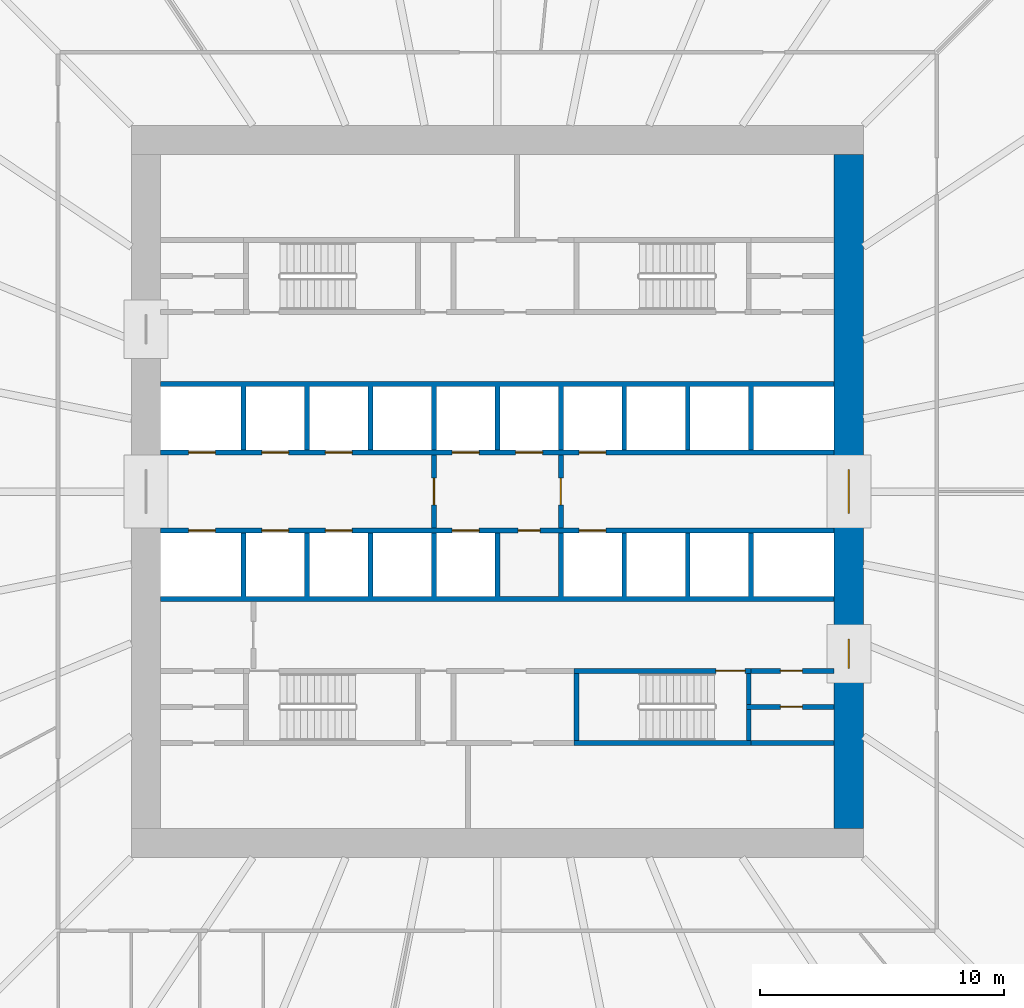
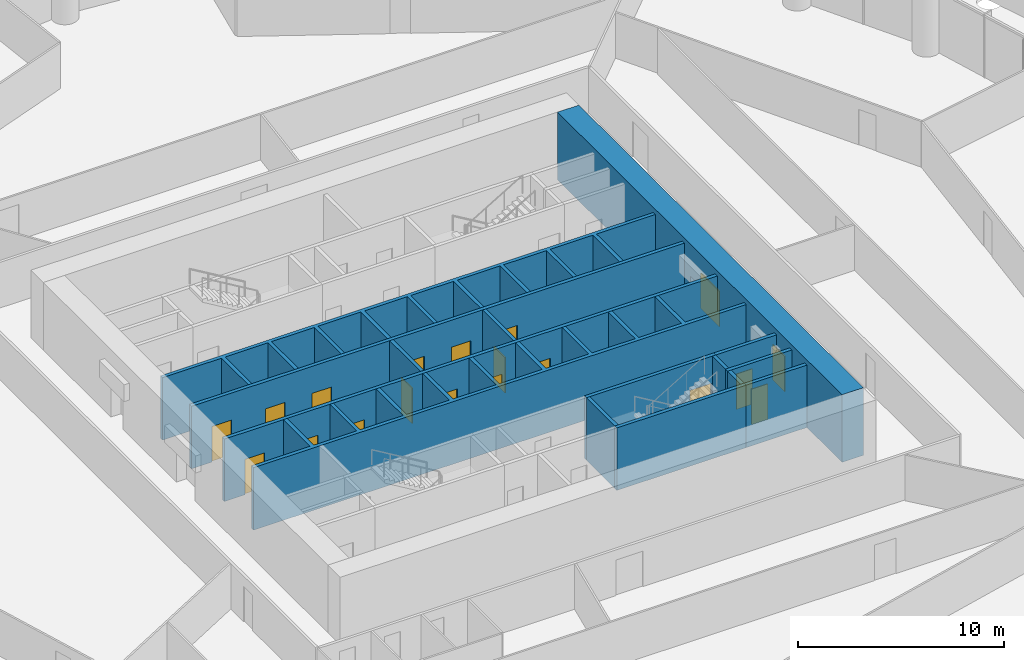
# One storey, part 11 of 17: 19 doors, 15 walls, 19 openings.
"""IFC4 building model written with IfcOpenShell, lengths in metres."""

from ifc_helpers import new_model, si_unit, direction, frame, frame_2d, origin, place, context, subcontext, project, spatial, polyline, rectangle, outline, extrude, material, layer, layer_set, type_object, element, fill, save


model = new_model("IFC4")

# Units and contexts
model_context = context("Model", 3, precision=1e-05, world=origin(), true_north=direction((0.0, 1.0)))
body_context = subcontext(model_context, "Body", "Model", "MODEL_VIEW")
ifc_project = project(units=[si_unit("LENGTHUNIT", "METRE"), si_unit("AREAUNIT", "SQUARE_METRE"), si_unit("VOLUMEUNIT", "CUBIC_METRE"), si_unit("PLANEANGLEUNIT", "RADIAN"), si_unit("MASSUNIT", "GRAM", prefix="KILO")], contexts=[model_context])

# Site, building, storey
site_placement = place(None, origin())
site = spatial("IfcSite", under=ifc_project, at=site_placement, CompositionType="ELEMENT")
building_placement = place(site_placement, origin())
building = spatial("IfcBuilding", under=site, at=building_placement, Name="Corvane Civic Tower", CompositionType="ELEMENT")
storey_placement = place(building_placement, frame((0.0, 0.0, 37.0)))
storey = spatial("IfcBuildingStorey", under=building, at=storey_placement, Name="L07", CompositionType="ELEMENT", Elevation=37.0)

# Wall, openings, doors
ifc_material_1 = material(Name="Concrete C80/95", Category="concrete")
ifc_layer_1 = layer(ifc_material_1, 1.199951171875)
ifc_layer_set_1 = layer_set([ifc_layer_1], Name="Concrete C80/95")
wall_type_1 = type_object("IfcWallType", Name="CORE WALL 1200 C80/95", PredefinedType="SHEAR", material=ifc_layer_set_1)
wall_1_placement = place(storey_placement, frame((14.39990234375, -13.800048828125, 0.0), z_axis=(0.0, 0.0, 1.0), x_axis=(0.0, 1.0, 0.0)))
wall_1 = element("IfcWall", 1, at=wall_1_placement, inside=storey, type_object=wall_type_1, Name="W-L07-core-E", PredefinedType="SHEAR", context=body_context, shape_type="SweptSolid", body=[
    extrude(rectangle(XDim=27.60009765625, YDim=1.199951171875, at=frame_2d((13.800048828125, 0.0))), origin(), (0.0, 0.0, 1.0), 4.0),
])
opening_1_placement = place(wall_1_placement, frame((12.89990234375, 0.0, 0.0)))
opening_1 = element("IfcOpeningElement", 2, at=opening_1_placement, cuts=wall_1, Name="Opening L07.C27", PredefinedType="OPENING", context=body_context, shape_type="SweptSolid", body=[
    extrude(rectangle(XDim=1.800048828125, YDim=2.10009765625, at=frame_2d((0.89990234375, 1.050048828125))), frame((0.0, 0.60986328125, 0.0), z_axis=(0.0, -1.0, 0.0), x_axis=(1.0, 0.0, 0.0)), (0.0, 0.0, 1.0), 1.219970703125),
])
opening_2_placement = place(wall_1_placement, frame((6.550048828125, 0.0, 0.0)))
opening_2 = element("IfcOpeningElement", 3, at=opening_2_placement, cuts=wall_1, Name="Opening L07.C29", PredefinedType="OPENING", context=body_context, shape_type="SweptSolid", body=[
    extrude(rectangle(XDim=1.199951171875, YDim=2.10009765625, at=frame_2d((0.60009765625, 1.050048828125))), frame((0.0, 0.60986328125, 0.0), z_axis=(0.0, -1.0, 0.0), x_axis=(1.0, 0.0, 0.0)), (0.0, 0.0, 1.0), 1.219970703125),
])
ifc_material_2 = material(Name="Steel fire door leaf", Category="steel")
door_type_1 = type_object("IfcDoorType", Name="CR-DOOR-CORE-1800", OperationType="DOUBLE_DOOR_SINGLE_SWING", PredefinedType="DOOR", material=ifc_material_2)
door_1_placement = place(opening_1_placement, origin())
door_1 = element("IfcDoor", 4, at=door_1_placement, inside=storey, type_object=door_type_1, Name="L07 door", OperationType="DOUBLE_DOOR_SINGLE_SWING", OverallHeight=2.10009765625, OverallWidth=1.800048828125, PredefinedType="DOOR", context=body_context, shape_type="SweptSolid", body=[
    extrude(rectangle(XDim=1.800048828125, YDim=2.10009765625, at=frame_2d((0.89990234375, 1.050048828125))), frame((0.0, 0.02490234375, 0.0), z_axis=(0.0, -1.0, 0.0), x_axis=(1.0, 0.0, 0.0)), (0.0, 0.0, 1.0), 0.050048828125),
])
fill(opening_1, door_1)
door_2_placement = place(opening_2_placement, origin())
door_2 = element("IfcDoor", 5, at=door_2_placement, inside=storey, type_object=door_type_1, Name="L07 door", OperationType="DOUBLE_DOOR_SINGLE_SWING", OverallHeight=2.10009765625, OverallWidth=1.199951171875, PredefinedType="DOOR", context=body_context, shape_type="SweptSolid", body=[
    extrude(rectangle(XDim=1.199951171875, YDim=2.10009765625, at=frame_2d((0.60009765625, 1.050048828125))), frame((0.0, 0.02490234375, 0.0), z_axis=(0.0, -1.0, 0.0), x_axis=(1.0, 0.0, 0.0)), (0.0, 0.0, 1.0), 0.050048828125),
])
fill(opening_2, door_2)

# Wall, opening, door
ifc_material_3 = material(Name="Concrete C30/37", Category="concrete")
ifc_layer_2 = layer(ifc_material_3, 0.199951171875)
ifc_layer_set_2 = layer_set([ifc_layer_2], Name="Concrete C30/37")
wall_type_2 = type_object("IfcWallType", Name="CR-WALL-200", PredefinedType="PARTITIONING", material=ifc_layer_set_2)
wall_2_placement = place(storey_placement, frame((10.199951171875, -8.824951171875, 0.0), z_axis=(0.0, 0.0, 1.0), x_axis=(1.0, 0.0, 0.0)))
wall_2 = element("IfcWall", 6, at=wall_2_placement, inside=storey, type_object=wall_type_2, Name="L07 partition wall", PredefinedType="PARTITIONING", context=body_context, shape_type="SweptSolid", body=[
    extrude(rectangle(XDim=3.60009765625, YDim=0.199951171875, at=frame_2d((1.800048828125, 0.0))), origin(), (0.0, 0.0, 1.0), 3.699951171875),
])
opening_3_placement = place(wall_2_placement, frame((1.39990234375, 0.0, 0.0)))
opening_3 = element("IfcOpeningElement", 7, at=opening_3_placement, cuts=wall_2, Name="Opening L07.C18", PredefinedType="OPENING", context=body_context, shape_type="SweptSolid", body=[
    extrude(rectangle(XDim=0.89990234375, YDim=2.10009765625, at=frame_2d((0.449951171875, 1.050048828125))), frame((0.0, 0.10986328125, 0.0), z_axis=(0.0, -1.0, 0.0), x_axis=(1.0, 0.0, 0.0)), (0.0, 0.0, 1.0), 0.219970703125),
])
ifc_material_4 = material(Name="Steel fire door leaf", Category="steel")
door_type_2 = type_object("IfcDoorType", Name="CR-DOOR-900", OperationType="SINGLE_SWING_LEFT", PredefinedType="DOOR", material=ifc_material_4)
door_3_placement = place(opening_3_placement, origin())
door_3 = element("IfcDoor", 8, at=door_3_placement, inside=storey, type_object=door_type_2, Name="L07 door", OperationType="SINGLE_SWING_LEFT", OverallHeight=2.10009765625, OverallWidth=0.89990234375, PredefinedType="DOOR", context=body_context, shape_type="SweptSolid", body=[
    extrude(rectangle(XDim=0.89990234375, YDim=2.10009765625, at=frame_2d((0.449951171875, 1.050048828125))), frame((0.0, 0.02490234375, 0.0), z_axis=(0.0, -1.0, 0.0), x_axis=(1.0, 0.0, 0.0)), (0.0, 0.0, 1.0), 0.050048828125),
])
fill(opening_3, door_3)

wall_3_placement = place(storey_placement, frame((10.39990234375, -7.35009765625, 0.0), z_axis=(0.0, 0.0, 1.0), x_axis=(1.0, 0.0, 0.0)))
wall_3 = element("IfcWall", 9, at=wall_3_placement, inside=storey, type_object=wall_type_2, Name="L07 core partition wall", PredefinedType="PARTITIONING", context=body_context, shape_type="SweptSolid", body=[
    extrude(rectangle(XDim=3.400146484375, YDim=0.199951171875, at=frame_2d((1.7001953125, 0.0))), origin(), (0.0, 0.0, 1.0), 3.699951171875),
])
opening_4_placement = place(wall_3_placement, frame((1.199951171875, 0.0, 0.0)))
opening_4 = element("IfcOpeningElement", 10, at=opening_4_placement, cuts=wall_3, Name="Opening L07.C17", PredefinedType="OPENING", context=body_context, shape_type="SweptSolid", body=[
    extrude(rectangle(XDim=0.89990234375, YDim=2.10009765625, at=frame_2d((0.449951171875, 1.050048828125))), frame((0.0, 0.10986328125, 0.0), z_axis=(0.0, -1.0, 0.0), x_axis=(1.0, 0.0, 0.0)), (0.0, 0.0, 1.0), 0.219970703125),
])
door_4_placement = place(opening_4_placement, origin())
door_4 = element("IfcDoor", 11, at=door_4_placement, inside=storey, type_object=door_type_2, Name="L07 door", OperationType="SINGLE_SWING_LEFT", OverallHeight=2.10009765625, OverallWidth=0.89990234375, PredefinedType="DOOR", context=body_context, shape_type="SweptSolid", body=[
    extrude(rectangle(XDim=0.89990234375, YDim=2.10009765625, at=frame_2d((0.449951171875, 1.050048828125))), frame((0.0, 0.02490234375, 0.0), z_axis=(0.0, -1.0, 0.0), x_axis=(1.0, 0.0, 0.0)), (0.0, 0.0, 1.0), 0.050048828125),
])
fill(opening_4, door_4)

# Wall, openings, doors
wall_4_placement = place(storey_placement, frame((-13.800048828125, -1.60009765625, 0.0), z_axis=(0.0, 0.0, 1.0), x_axis=(1.0, 0.0, 0.0)))
wall_4 = element("IfcWall", 12, at=wall_4_placement, inside=storey, type_object=wall_type_2, Name="L07 lift shaft wall", PredefinedType="PARTITIONING", context=body_context, shape_type="SweptSolid", body=[
    extrude(rectangle(XDim=27.60009765625, YDim=0.199951171875, at=frame_2d((13.800048828125, 0.0))), origin(), (0.0, 0.0, 1.0), 3.699951171875),
])
opening_5_placement = place(wall_4_placement, frame((1.14990234375, 0.0, 0.0)))
opening_5 = element("IfcOpeningElement", 13, at=opening_5_placement, cuts=wall_4, Name="Opening LD", PredefinedType="OPENING", context=body_context, shape_type="SweptSolid", body=[
    extrude(rectangle(XDim=1.10009765625, YDim=2.10009765625, at=frame_2d((0.550048828125, 1.050048828125))), frame((0.0, 0.10986328125, 0.0), z_axis=(0.0, -1.0, 0.0), x_axis=(1.0, 0.0, 0.0)), (0.0, 0.0, 1.0), 0.219970703125),
])
opening_6_placement = place(wall_4_placement, frame((4.14990234375, 0.0, 0.0)))
opening_6 = element("IfcOpeningElement", 14, at=opening_6_placement, cuts=wall_4, Name="Opening LD", PredefinedType="OPENING", context=body_context, shape_type="SweptSolid", body=[
    extrude(rectangle(XDim=1.10009765625, YDim=2.10009765625, at=frame_2d((0.550048828125, 1.050048828125))), frame((0.0, 0.10986328125, 0.0), z_axis=(0.0, -1.0, 0.0), x_axis=(1.0, 0.0, 0.0)), (0.0, 0.0, 1.0), 0.219970703125),
])
opening_7_placement = place(wall_4_placement, frame((6.75, 0.0, 0.0)))
opening_7 = element("IfcOpeningElement", 15, at=opening_7_placement, cuts=wall_4, Name="Opening LD", PredefinedType="OPENING", context=body_context, shape_type="SweptSolid", body=[
    extrude(rectangle(XDim=1.10009765625, YDim=2.10009765625, at=frame_2d((0.550048828125, 1.050048828125))), frame((0.0, 0.10986328125, 0.0), z_axis=(0.0, -1.0, 0.0), x_axis=(1.0, 0.0, 0.0)), (0.0, 0.0, 1.0), 0.219970703125),
])
opening_8_placement = place(wall_4_placement, frame((11.949951171875, 0.0, 0.0)))
opening_8 = element("IfcOpeningElement", 16, at=opening_8_placement, cuts=wall_4, Name="Opening LD", PredefinedType="OPENING", context=body_context, shape_type="SweptSolid", body=[
    extrude(rectangle(XDim=1.10009765625, YDim=2.10009765625, at=frame_2d((0.550048828125, 1.050048828125))), frame((0.0, 0.10986328125, 0.0), z_axis=(0.0, -1.0, 0.0), x_axis=(1.0, 0.0, 0.0)), (0.0, 0.0, 1.0), 0.219970703125),
])
opening_9_placement = place(wall_4_placement, frame((14.64990234375, 0.0, 0.0)))
opening_9 = element("IfcOpeningElement", 17, at=opening_9_placement, cuts=wall_4, Name="Opening L07.C01", PredefinedType="OPENING", context=body_context, shape_type="SweptSolid", body=[
    extrude(rectangle(XDim=0.89990234375, YDim=2.10009765625, at=frame_2d((0.449951171875, 1.050048828125))), frame((0.0, 0.10986328125, 0.0), z_axis=(0.0, -1.0, 0.0), x_axis=(1.0, 0.0, 0.0)), (0.0, 0.0, 1.0), 0.219970703125),
])
opening_10_placement = place(wall_4_placement, frame((17.14990234375, 0.0, 0.0)))
opening_10 = element("IfcOpeningElement", 18, at=opening_10_placement, cuts=wall_4, Name="Opening LD", PredefinedType="OPENING", context=body_context, shape_type="SweptSolid", body=[
    extrude(rectangle(XDim=1.10009765625, YDim=2.10009765625, at=frame_2d((0.550048828125, 1.050048828125))), frame((0.0, 0.10986328125, 0.0), z_axis=(0.0, -1.0, 0.0), x_axis=(1.0, 0.0, 0.0)), (0.0, 0.0, 1.0), 0.219970703125),
])
door_5_placement = place(opening_9_placement, origin())
door_5 = element("IfcDoor", 19, at=door_5_placement, inside=storey, type_object=door_type_2, Name="L07 door", OperationType="SINGLE_SWING_LEFT", OverallHeight=2.10009765625, OverallWidth=0.89990234375, PredefinedType="DOOR", context=body_context, shape_type="SweptSolid", body=[
    extrude(rectangle(XDim=0.89990234375, YDim=2.10009765625, at=frame_2d((0.449951171875, 1.050048828125))), frame((0.0, 0.02490234375, 0.0), z_axis=(0.0, -1.0, 0.0), x_axis=(1.0, 0.0, 0.0)), (0.0, 0.0, 1.0), 0.050048828125),
])
fill(opening_9, door_5)
ifc_material_5 = material(Name="Stainless steel 316 door leaves", Category="steel")
door_type_3 = type_object("IfcDoorType", Name="LD", OperationType="DOUBLE_DOOR_SLIDING", PredefinedType="DOOR", material=ifc_material_5)
door_6_placement = place(opening_5_placement, origin())
door_6 = element("IfcDoor", 20, at=door_6_placement, inside=storey, type_object=door_type_3, Name="L07 landing door", OperationType="DOUBLE_DOOR_SLIDING", OverallHeight=2.10009765625, OverallWidth=1.10009765625, PredefinedType="DOOR", context=body_context, shape_type="SweptSolid", body=[
    extrude(rectangle(XDim=1.10009765625, YDim=2.10009765625, at=frame_2d((0.550048828125, 1.050048828125))), frame((0.0, 0.02490234375, 0.0), z_axis=(0.0, -1.0, 0.0), x_axis=(1.0, 0.0, 0.0)), (0.0, 0.0, 1.0), 0.050048828125),
])
fill(opening_5, door_6)
door_7_placement = place(opening_6_placement, origin())
door_7 = element("IfcDoor", 21, at=door_7_placement, inside=storey, type_object=door_type_3, Name="L07 landing door", OperationType="DOUBLE_DOOR_SLIDING", OverallHeight=2.10009765625, OverallWidth=1.10009765625, PredefinedType="DOOR", context=body_context, shape_type="SweptSolid", body=[
    extrude(rectangle(XDim=1.10009765625, YDim=2.10009765625, at=frame_2d((0.550048828125, 1.050048828125))), frame((0.0, 0.02490234375, 0.0), z_axis=(0.0, -1.0, 0.0), x_axis=(1.0, 0.0, 0.0)), (0.0, 0.0, 1.0), 0.050048828125),
])
fill(opening_6, door_7)
door_8_placement = place(opening_7_placement, origin())
door_8 = element("IfcDoor", 22, at=door_8_placement, inside=storey, type_object=door_type_3, Name="L07 landing door", OperationType="DOUBLE_DOOR_SLIDING", OverallHeight=2.10009765625, OverallWidth=1.10009765625, PredefinedType="DOOR", context=body_context, shape_type="SweptSolid", body=[
    extrude(rectangle(XDim=1.10009765625, YDim=2.10009765625, at=frame_2d((0.550048828125, 1.050048828125))), frame((0.0, 0.02490234375, 0.0), z_axis=(0.0, -1.0, 0.0), x_axis=(1.0, 0.0, 0.0)), (0.0, 0.0, 1.0), 0.050048828125),
])
fill(opening_7, door_8)
door_9_placement = place(opening_8_placement, origin())
door_9 = element("IfcDoor", 23, at=door_9_placement, inside=storey, type_object=door_type_3, Name="L07 landing door", OperationType="DOUBLE_DOOR_SLIDING", OverallHeight=2.10009765625, OverallWidth=1.10009765625, PredefinedType="DOOR", context=body_context, shape_type="SweptSolid", body=[
    extrude(rectangle(XDim=1.10009765625, YDim=2.10009765625, at=frame_2d((0.550048828125, 1.050048828125))), frame((0.0, 0.02490234375, 0.0), z_axis=(0.0, -1.0, 0.0), x_axis=(1.0, 0.0, 0.0)), (0.0, 0.0, 1.0), 0.050048828125),
])
fill(opening_8, door_9)
door_10_placement = place(opening_10_placement, origin())
door_10 = element("IfcDoor", 24, at=door_10_placement, inside=storey, type_object=door_type_3, Name="L07 landing door", OperationType="DOUBLE_DOOR_SLIDING", OverallHeight=2.10009765625, OverallWidth=1.10009765625, PredefinedType="DOOR", context=body_context, shape_type="SweptSolid", body=[
    extrude(rectangle(XDim=1.10009765625, YDim=2.10009765625, at=frame_2d((0.550048828125, 1.050048828125))), frame((0.0, 0.02490234375, 0.0), z_axis=(0.0, -1.0, 0.0), x_axis=(1.0, 0.0, 0.0)), (0.0, 0.0, 1.0), 0.050048828125),
])
fill(opening_10, door_10)

wall_5_placement = place(storey_placement, frame((-13.800048828125, 1.60009765625, 0.0), z_axis=(0.0, 0.0, 1.0), x_axis=(1.0, 0.0, 0.0)))
wall_5 = element("IfcWall", 25, at=wall_5_placement, inside=storey, type_object=wall_type_2, Name="L07 lift shaft wall", PredefinedType="PARTITIONING", context=body_context, shape_type="SweptSolid", body=[
    extrude(rectangle(XDim=27.60009765625, YDim=0.199951171875, at=frame_2d((13.800048828125, 0.0))), origin(), (0.0, 0.0, 1.0), 3.699951171875),
])
opening_11_placement = place(wall_5_placement, frame((1.14990234375, 0.0, 0.0)))
opening_11 = element("IfcOpeningElement", 26, at=opening_11_placement, cuts=wall_5, Name="Opening LD", PredefinedType="OPENING", context=body_context, shape_type="SweptSolid", body=[
    extrude(rectangle(XDim=1.10009765625, YDim=2.10009765625, at=frame_2d((0.550048828125, 1.050048828125))), frame((0.0, 0.10986328125, 0.0), z_axis=(0.0, -1.0, 0.0), x_axis=(1.0, 0.0, 0.0)), (0.0, 0.0, 1.0), 0.219970703125),
])
opening_12_placement = place(wall_5_placement, frame((4.14990234375, 0.0, 0.0)))
opening_12 = element("IfcOpeningElement", 27, at=opening_12_placement, cuts=wall_5, Name="Opening LD", PredefinedType="OPENING", context=body_context, shape_type="SweptSolid", body=[
    extrude(rectangle(XDim=1.10009765625, YDim=2.10009765625, at=frame_2d((0.550048828125, 1.050048828125))), frame((0.0, 0.10986328125, 0.0), z_axis=(0.0, -1.0, 0.0), x_axis=(1.0, 0.0, 0.0)), (0.0, 0.0, 1.0), 0.219970703125),
])
opening_13_placement = place(wall_5_placement, frame((6.75, 0.0, 0.0)))
opening_13 = element("IfcOpeningElement", 28, at=opening_13_placement, cuts=wall_5, Name="Opening LD", PredefinedType="OPENING", context=body_context, shape_type="SweptSolid", body=[
    extrude(rectangle(XDim=1.10009765625, YDim=2.10009765625, at=frame_2d((0.550048828125, 1.050048828125))), frame((0.0, 0.10986328125, 0.0), z_axis=(0.0, -1.0, 0.0), x_axis=(1.0, 0.0, 0.0)), (0.0, 0.0, 1.0), 0.219970703125),
])
opening_14_placement = place(wall_5_placement, frame((11.949951171875, 0.0, 0.0)))
opening_14 = element("IfcOpeningElement", 29, at=opening_14_placement, cuts=wall_5, Name="Opening LD", PredefinedType="OPENING", context=body_context, shape_type="SweptSolid", body=[
    extrude(rectangle(XDim=1.10009765625, YDim=2.10009765625, at=frame_2d((0.550048828125, 1.050048828125))), frame((0.0, 0.10986328125, 0.0), z_axis=(0.0, -1.0, 0.0), x_axis=(1.0, 0.0, 0.0)), (0.0, 0.0, 1.0), 0.219970703125),
])
opening_15_placement = place(wall_5_placement, frame((14.550048828125, 0.0, 0.0)))
opening_15 = element("IfcOpeningElement", 30, at=opening_15_placement, cuts=wall_5, Name="Opening LD", PredefinedType="OPENING", context=body_context, shape_type="SweptSolid", body=[
    extrude(rectangle(XDim=1.10009765625, YDim=2.10009765625, at=frame_2d((0.550048828125, 1.050048828125))), frame((0.0, 0.10986328125, 0.0), z_axis=(0.0, -1.0, 0.0), x_axis=(1.0, 0.0, 0.0)), (0.0, 0.0, 1.0), 0.219970703125),
])
opening_16_placement = place(wall_5_placement, frame((17.14990234375, 0.0, 0.0)))
opening_16 = element("IfcOpeningElement", 31, at=opening_16_placement, cuts=wall_5, Name="Opening LD", PredefinedType="OPENING", context=body_context, shape_type="SweptSolid", body=[
    extrude(rectangle(XDim=1.10009765625, YDim=2.10009765625, at=frame_2d((0.550048828125, 1.050048828125))), frame((0.0, 0.10986328125, 0.0), z_axis=(0.0, -1.0, 0.0), x_axis=(1.0, 0.0, 0.0)), (0.0, 0.0, 1.0), 0.219970703125),
])
door_11_placement = place(opening_11_placement, origin())
door_11 = element("IfcDoor", 32, at=door_11_placement, inside=storey, type_object=door_type_3, Name="L07 landing door", OperationType="DOUBLE_DOOR_SLIDING", OverallHeight=2.10009765625, OverallWidth=1.10009765625, PredefinedType="DOOR", context=body_context, shape_type="SweptSolid", body=[
    extrude(rectangle(XDim=1.10009765625, YDim=2.10009765625, at=frame_2d((0.550048828125, 1.050048828125))), frame((0.0, 0.02490234375, 0.0), z_axis=(0.0, -1.0, 0.0), x_axis=(1.0, 0.0, 0.0)), (0.0, 0.0, 1.0), 0.050048828125),
])
fill(opening_11, door_11)
door_12_placement = place(opening_12_placement, origin())
door_12 = element("IfcDoor", 33, at=door_12_placement, inside=storey, type_object=door_type_3, Name="L07 landing door", OperationType="DOUBLE_DOOR_SLIDING", OverallHeight=2.10009765625, OverallWidth=1.10009765625, PredefinedType="DOOR", context=body_context, shape_type="SweptSolid", body=[
    extrude(rectangle(XDim=1.10009765625, YDim=2.10009765625, at=frame_2d((0.550048828125, 1.050048828125))), frame((0.0, 0.02490234375, 0.0), z_axis=(0.0, -1.0, 0.0), x_axis=(1.0, 0.0, 0.0)), (0.0, 0.0, 1.0), 0.050048828125),
])
fill(opening_12, door_12)
door_13_placement = place(opening_13_placement, origin())
door_13 = element("IfcDoor", 34, at=door_13_placement, inside=storey, type_object=door_type_3, Name="L07 landing door", OperationType="DOUBLE_DOOR_SLIDING", OverallHeight=2.10009765625, OverallWidth=1.10009765625, PredefinedType="DOOR", context=body_context, shape_type="SweptSolid", body=[
    extrude(rectangle(XDim=1.10009765625, YDim=2.10009765625, at=frame_2d((0.550048828125, 1.050048828125))), frame((0.0, 0.02490234375, 0.0), z_axis=(0.0, -1.0, 0.0), x_axis=(1.0, 0.0, 0.0)), (0.0, 0.0, 1.0), 0.050048828125),
])
fill(opening_13, door_13)
door_14_placement = place(opening_14_placement, origin())
door_14 = element("IfcDoor", 35, at=door_14_placement, inside=storey, type_object=door_type_3, Name="L07 landing door", OperationType="DOUBLE_DOOR_SLIDING", OverallHeight=2.10009765625, OverallWidth=1.10009765625, PredefinedType="DOOR", context=body_context, shape_type="SweptSolid", body=[
    extrude(rectangle(XDim=1.10009765625, YDim=2.10009765625, at=frame_2d((0.550048828125, 1.050048828125))), frame((0.0, 0.02490234375, 0.0), z_axis=(0.0, -1.0, 0.0), x_axis=(1.0, 0.0, 0.0)), (0.0, 0.0, 1.0), 0.050048828125),
])
fill(opening_14, door_14)
door_15_placement = place(opening_15_placement, origin())
door_15 = element("IfcDoor", 36, at=door_15_placement, inside=storey, type_object=door_type_3, Name="L07 landing door", OperationType="DOUBLE_DOOR_SLIDING", OverallHeight=2.10009765625, OverallWidth=1.10009765625, PredefinedType="DOOR", context=body_context, shape_type="SweptSolid", body=[
    extrude(rectangle(XDim=1.10009765625, YDim=2.10009765625, at=frame_2d((0.550048828125, 1.050048828125))), frame((0.0, 0.02490234375, 0.0), z_axis=(0.0, -1.0, 0.0), x_axis=(1.0, 0.0, 0.0)), (0.0, 0.0, 1.0), 0.050048828125),
])
fill(opening_15, door_15)
door_16_placement = place(opening_16_placement, origin())
door_16 = element("IfcDoor", 37, at=door_16_placement, inside=storey, type_object=door_type_3, Name="L07 landing door", OperationType="DOUBLE_DOOR_SLIDING", OverallHeight=2.10009765625, OverallWidth=1.10009765625, PredefinedType="DOOR", context=body_context, shape_type="SweptSolid", body=[
    extrude(rectangle(XDim=1.10009765625, YDim=2.10009765625, at=frame_2d((0.550048828125, 1.050048828125))), frame((0.0, 0.02490234375, 0.0), z_axis=(0.0, -1.0, 0.0), x_axis=(1.0, 0.0, 0.0)), (0.0, 0.0, 1.0), 0.050048828125),
])
fill(opening_16, door_16)

# Wall, opening, door
wall_6_placement = place(storey_placement, frame((-2.60009765625, -1.5, 0.0), z_axis=(0.0, 0.0, 1.0), x_axis=(0.0, 1.0, 0.0)))
wall_6 = element("IfcWall", 38, at=wall_6_placement, inside=storey, type_object=wall_type_2, Name="L07 firefighting lobby wall", PredefinedType="PARTITIONING", context=body_context, shape_type="SweptSolid", body=[
    extrude(rectangle(XDim=3.0, YDim=0.199951171875, at=frame_2d((1.5, 0.0))), origin(), (0.0, 0.0, 1.0), 3.699951171875),
])
opening_17_placement = place(wall_6_placement, frame((0.949951171875, 0.0, 0.0)))
opening_17 = element("IfcOpeningElement", 39, at=opening_17_placement, cuts=wall_6, Name="Opening L07.C23", PredefinedType="OPENING", context=body_context, shape_type="SweptSolid", body=[
    extrude(rectangle(XDim=1.10009765625, YDim=2.10009765625, at=frame_2d((0.550048828125, 1.050048828125))), frame((0.0, 0.10986328125, 0.0), z_axis=(0.0, -1.0, 0.0), x_axis=(1.0, 0.0, 0.0)), (0.0, 0.0, 1.0), 0.219970703125),
])
ifc_material_6 = material(Name="Steel fire door leaf", Category="steel")
door_type_4 = type_object("IfcDoorType", Name="CR-DOOR-FFL-1100", OperationType="SINGLE_SWING_LEFT", PredefinedType="DOOR", material=ifc_material_6)
door_17_placement = place(opening_17_placement, origin())
door_17 = element("IfcDoor", 40, at=door_17_placement, inside=storey, type_object=door_type_4, Name="L07 lobby door", OperationType="SINGLE_SWING_LEFT", OverallHeight=2.10009765625, OverallWidth=1.10009765625, PredefinedType="DOOR", context=body_context, shape_type="SweptSolid", body=[
    extrude(rectangle(XDim=1.10009765625, YDim=2.10009765625, at=frame_2d((0.550048828125, 1.050048828125))), frame((0.0, 0.02490234375, 0.0), z_axis=(0.0, -1.0, 0.0), x_axis=(1.0, 0.0, 0.0)), (0.0, 0.0, 1.0), 0.050048828125),
])
fill(opening_17, door_17)

wall_7_placement = place(storey_placement, frame((2.60009765625, -1.5, 0.0), z_axis=(0.0, 0.0, 1.0), x_axis=(0.0, 1.0, 0.0)))
wall_7 = element("IfcWall", 41, at=wall_7_placement, inside=storey, type_object=wall_type_2, Name="L07 firefighting lobby wall", PredefinedType="PARTITIONING", context=body_context, shape_type="SweptSolid", body=[
    extrude(rectangle(XDim=3.0, YDim=0.199951171875, at=frame_2d((1.5, 0.0))), origin(), (0.0, 0.0, 1.0), 3.699951171875),
])
opening_18_placement = place(wall_7_placement, frame((0.949951171875, 0.0, 0.0)))
opening_18 = element("IfcOpeningElement", 42, at=opening_18_placement, cuts=wall_7, Name="Opening L07.C24", PredefinedType="OPENING", context=body_context, shape_type="SweptSolid", body=[
    extrude(rectangle(XDim=1.10009765625, YDim=2.10009765625, at=frame_2d((0.550048828125, 1.050048828125))), frame((0.0, 0.10986328125, 0.0), z_axis=(0.0, -1.0, 0.0), x_axis=(1.0, 0.0, 0.0)), (0.0, 0.0, 1.0), 0.219970703125),
])
door_18_placement = place(opening_18_placement, origin())
door_18 = element("IfcDoor", 43, at=door_18_placement, inside=storey, type_object=door_type_4, Name="L07 lobby door", OperationType="SINGLE_SWING_LEFT", OverallHeight=2.10009765625, OverallWidth=1.10009765625, PredefinedType="DOOR", context=body_context, shape_type="SweptSolid", body=[
    extrude(rectangle(XDim=1.10009765625, YDim=2.10009765625, at=frame_2d((0.550048828125, 1.050048828125))), frame((0.0, 0.02490234375, 0.0), z_axis=(0.0, -1.0, 0.0), x_axis=(1.0, 0.0, 0.0)), (0.0, 0.0, 1.0), 0.050048828125),
])
fill(opening_18, door_18)

# Walls
wall_8_placement = place(storey_placement, origin())
element("IfcWall", 44, at=wall_8_placement, inside=storey, type_object=wall_type_2, Name="L07 core partition wall", PredefinedType="PARTITIONING", context=body_context, shape_type="SweptSolid", body=[
    extrude(outline(polyline([(-10.300048828125, -1.699951171875), (-10.300048828125, -4.300048828125), (-7.89990234375, -4.300048828125), (-7.89990234375, -1.699951171875), (-7.699951171875, -1.699951171875), (-7.699951171875, -4.300048828125), (-5.300048828125, -4.300048828125), (-5.300048828125, -1.699951171875), (-5.10009765625, -1.699951171875), (-5.10009765625, -4.300048828125), (-2.699951171875, -4.300048828125), (-2.699951171875, -1.699951171875), (-2.5, -1.699951171875), (-2.5, -4.300048828125), (-0.10009765625, -4.300048828125), (-0.10009765625, -1.699951171875), (0.10009765625, -1.699951171875), (0.10009765625, -4.300048828125), (2.5, -4.300048828125), (2.5, -1.699951171875), (2.699951171875, -1.699951171875), (2.699951171875, -4.300048828125), (5.10009765625, -4.300048828125), (5.10009765625, -1.699951171875), (5.300048828125, -1.699951171875), (5.300048828125, -4.300048828125), (7.699951171875, -4.300048828125), (7.699951171875, -1.699951171875), (7.89990234375, -1.699951171875), (7.89990234375, -4.300048828125), (10.300048828125, -4.300048828125), (10.300048828125, -1.699951171875), (10.5, -1.699951171875), (10.5, -4.300048828125), (13.800048828125, -4.300048828125), (13.800048828125, -4.5), (-13.800048828125, -4.5), (-13.800048828125, -4.300048828125), (-10.5, -4.300048828125), (-10.5, -1.699951171875), (-10.300048828125, -1.699951171875)])), origin(), (0.0, 0.0, 1.0), 3.699951171875),
])
wall_9_placement = place(storey_placement, origin())
element("IfcWall", 45, at=wall_9_placement, inside=storey, type_object=wall_type_2, Name="L07 core partition wall", PredefinedType="PARTITIONING", context=body_context, shape_type="SweptSolid", body=[
    extrude(outline(polyline([(-10.300048828125, 1.699951171875), (-10.5, 1.699951171875), (-10.5, 4.300048828125), (-13.800048828125, 4.300048828125), (-13.800048828125, 4.5), (13.800048828125, 4.5), (13.800048828125, 4.300048828125), (10.5, 4.300048828125), (10.5, 1.699951171875), (10.300048828125, 1.699951171875), (10.300048828125, 4.300048828125), (7.89990234375, 4.300048828125), (7.89990234375, 1.699951171875), (7.699951171875, 1.699951171875), (7.699951171875, 4.300048828125), (5.300048828125, 4.300048828125), (5.300048828125, 1.699951171875), (5.10009765625, 1.699951171875), (5.10009765625, 4.300048828125), (2.699951171875, 4.300048828125), (2.699951171875, 1.699951171875), (2.5, 1.699951171875), (2.5, 4.300048828125), (0.10009765625, 4.300048828125), (0.10009765625, 1.699951171875), (-0.10009765625, 1.699951171875), (-0.10009765625, 4.300048828125), (-2.5, 4.300048828125), (-2.5, 1.699951171875), (-2.699951171875, 1.699951171875), (-2.699951171875, 4.300048828125), (-5.10009765625, 4.300048828125), (-5.10009765625, 1.699951171875), (-5.300048828125, 1.699951171875), (-5.300048828125, 4.300048828125), (-7.699951171875, 4.300048828125), (-7.699951171875, 1.699951171875), (-7.89990234375, 1.699951171875), (-7.89990234375, 4.300048828125), (-10.300048828125, 4.300048828125), (-10.300048828125, 1.699951171875)])), origin(), (0.0, 0.0, 1.0), 3.699951171875),
])
wall_10_placement = place(storey_placement, origin())
element("IfcWall", 46, at=wall_10_placement, inside=storey, type_object=wall_type_2, Name="L07 core partition wall", PredefinedType="PARTITIONING", context=body_context, shape_type="SweptSolid", body=[
    extrude(outline(polyline([(10.39990234375, -10.39990234375), (10.39990234375, -10.199951171875), (13.800048828125, -10.199951171875), (13.800048828125, -10.39990234375), (10.39990234375, -10.39990234375)])), origin(), (0.0, 0.0, 1.0), 3.699951171875),
])

# Wall, opening, door
ifc_material_7 = material(Name="Concrete C50/60", Category="concrete")
ifc_layer_3 = layer(ifc_material_7, 0.199951171875)
ifc_layer_set_3 = layer_set([ifc_layer_3], Name="Concrete C50/60")
wall_type_3 = type_object("IfcWallType", Name="ST-WALL-200", PredefinedType="SHEAR", material=ifc_layer_set_3)
wall_11_placement = place(storey_placement, frame((3.14990234375, -7.35009765625, 0.0), z_axis=(0.0, 0.0, 1.0), x_axis=(1.0, 0.0, 0.0)))
wall_11 = element("IfcWall", 47, at=wall_11_placement, inside=storey, type_object=wall_type_3, Name="L07 stair enclosure wall", PredefinedType="SHEAR", context=body_context, shape_type="SweptSolid", body=[
    extrude(rectangle(XDim=7.25, YDim=0.199951171875, at=frame_2d((3.625, 0.0))), origin(), (0.0, 0.0, 1.0), 3.699951171875),
])
opening_19_placement = place(wall_11_placement, frame((5.800048828125, 0.0, 0.0)))
opening_19 = element("IfcOpeningElement", 48, at=opening_19_placement, cuts=wall_11, Name="Opening L07.C21", PredefinedType="OPENING", context=body_context, shape_type="SweptSolid", body=[
    extrude(rectangle(XDim=1.199951171875, YDim=2.10009765625, at=frame_2d((0.60009765625, 1.050048828125))), frame((0.0, 0.10986328125, 0.0), z_axis=(0.0, -1.0, 0.0), x_axis=(1.0, 0.0, 0.0)), (0.0, 0.0, 1.0), 0.219970703125),
])
ifc_material_8 = material(Name="Steel fire door leaf", Category="steel")
door_type_5 = type_object("IfcDoorType", Name="ST-DOOR-1200", OperationType="SINGLE_SWING_RIGHT", PredefinedType="DOOR", material=ifc_material_8)
door_19_placement = place(opening_19_placement, origin())
door_19 = element("IfcDoor", 49, at=door_19_placement, inside=storey, type_object=door_type_5, Name="L07 stair door", OperationType="SINGLE_SWING_RIGHT", OverallHeight=2.10009765625, OverallWidth=1.199951171875, PredefinedType="DOOR", context=body_context, shape_type="SweptSolid", body=[
    extrude(rectangle(XDim=1.199951171875, YDim=2.10009765625, at=frame_2d((0.60009765625, 1.050048828125))), frame((0.0, 0.02490234375, 0.0), z_axis=(0.0, -1.0, 0.0), x_axis=(1.0, 0.0, 0.0)), (0.0, 0.0, 1.0), 0.050048828125),
])
fill(opening_19, door_19)

# Walls
wall_12_placement = place(storey_placement, origin())
element("IfcWall", 50, at=wall_12_placement, inside=storey, type_object=wall_type_3, Name="L07 stair enclosure wall", PredefinedType="SHEAR", context=body_context, shape_type="SweptSolid", body=[
    extrude(outline(polyline([(10.39990234375, -10.39990234375), (3.14990234375, -10.39990234375), (3.14990234375, -10.199951171875), (10.39990234375, -10.199951171875), (10.39990234375, -10.39990234375)])), origin(), (0.0, 0.0, 1.0), 3.699951171875),
])
wall_13_placement = place(storey_placement, origin())
element("IfcWall", 51, at=wall_13_placement, inside=storey, type_object=wall_type_3, Name="L07 stair enclosure wall", PredefinedType="SHEAR", context=body_context, shape_type="SweptSolid", body=[
    extrude(outline(polyline([(3.35009765625, -7.449951171875), (3.35009765625, -10.199951171875), (3.14990234375, -10.199951171875), (3.14990234375, -7.449951171875), (3.35009765625, -7.449951171875)])), origin(), (0.0, 0.0, 1.0), 3.699951171875),
])
wall_14_placement = place(storey_placement, origin())
element("IfcWall", 52, at=wall_14_placement, inside=storey, type_object=wall_type_3, Name="L07 stair enclosure wall", PredefinedType="SHEAR", context=body_context, shape_type="SweptSolid", body=[
    extrude(outline(polyline([(10.39990234375, -7.449951171875), (10.39990234375, -8.72509765625), (10.199951171875, -8.72509765625), (10.199951171875, -7.449951171875), (10.39990234375, -7.449951171875)])), origin(), (0.0, 0.0, 1.0), 3.699951171875),
])
wall_15_placement = place(storey_placement, origin())
element("IfcWall", 53, at=wall_15_placement, inside=storey, type_object=wall_type_3, Name="L07 stair enclosure wall", PredefinedType="SHEAR", context=body_context, shape_type="SweptSolid", body=[
    extrude(outline(polyline([(10.39990234375, -8.925048828125), (10.39990234375, -10.199951171875), (10.199951171875, -10.199951171875), (10.199951171875, -8.925048828125), (10.39990234375, -8.925048828125)])), origin(), (0.0, 0.0, 1.0), 3.699951171875),
])

save(model, "model.ifc")
